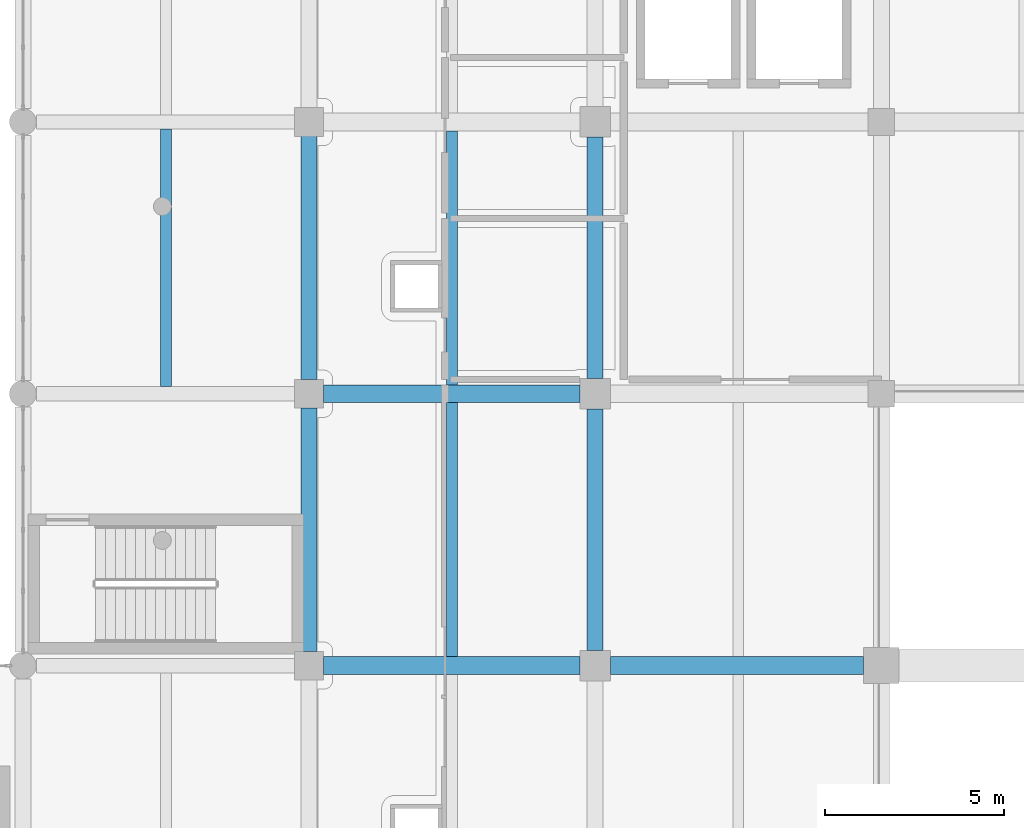
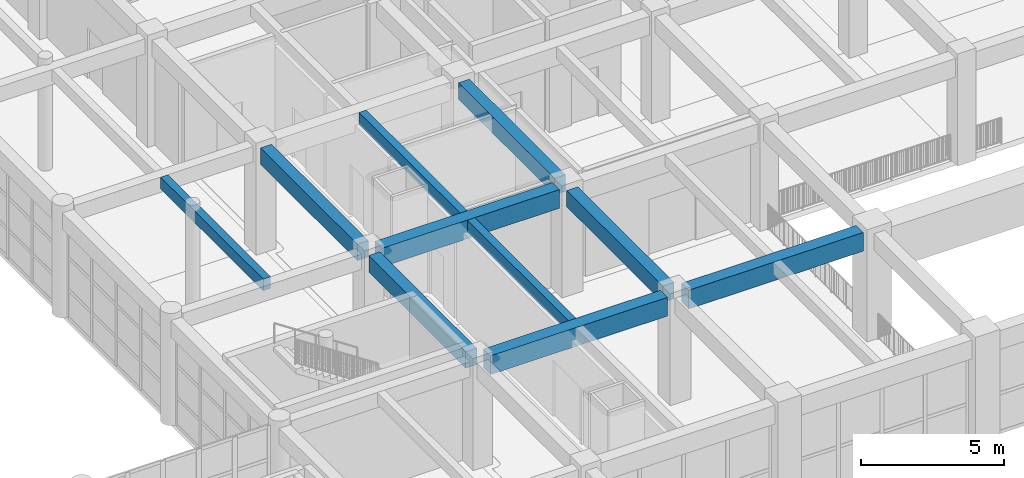
# One storey, part 17 of 101: 10 beams.
"""IFC4 building model written with IfcOpenShell, lengths in metres."""

from ifc_helpers import new_model, si_unit, direction, frame, origin, origin_2d, place, context, subcontext, project, spatial, rectangle, extrude, material, material_profile, profile_set, type_object, element, save


model = new_model("IFC4")

# Units and contexts
model_context = context("Model", 3, precision=1e-05, world=origin(), true_north=direction((0.0, 1.0)))
body_context = subcontext(model_context, "Body", "Model", "MODEL_VIEW")
ifc_project = project(units=[si_unit("LENGTHUNIT", "METRE"), si_unit("AREAUNIT", "SQUARE_METRE"), si_unit("VOLUMEUNIT", "CUBIC_METRE"), si_unit("PLANEANGLEUNIT", "RADIAN"), si_unit("MASSUNIT", "GRAM", prefix="KILO")], contexts=[model_context])

# Site, building, storey
site_placement = place(None, origin())
site = spatial("IfcSite", under=ifc_project, at=site_placement, CompositionType="ELEMENT")
building_placement = place(site_placement, origin())
building = spatial("IfcBuilding", under=site, at=building_placement, Name="Zantavel Square City Hall", CompositionType="ELEMENT")
storey_placement = place(building_placement, frame((0.0, 0.0, 5.39990234375)))
storey = spatial("IfcBuildingStorey", under=building, at=storey_placement, Name="L02", CompositionType="ELEMENT", Elevation=5.39990234375)

# Beams
ifc_material = material(Name="Concrete C35/45", Category="concrete")
ifc_material_profile_1 = material_profile(ifc_material, rectangle(XDim=0.300048828125, YDim=0.5, at=origin_2d()), Name="RC 300x500")
ifc_profile_set_1 = profile_set([ifc_material_profile_1], Name="Concrete C35/45")
beam_type_1 = type_object("IfcBeamType", Name="Floor Joist RC 300x500 C35/45", PredefinedType="JOIST", material=ifc_profile_set_1)
beam_1_placement = place(storey_placement, frame((52.0, 45.800048828125, 4.2900390625), z_axis=(0.0, 1.0, 0.0), x_axis=(-1.0, 0.0, 0.0)))
element("IfcBeam", 1, at=beam_1_placement, inside=storey, type_object=beam_type_1, Name="L02 Floor Joist JST-L02-0520-0456", PredefinedType="JOIST", context=body_context, shape_type="SweptSolid", body=[
    extrude(rectangle(XDim=0.300048828125, YDim=0.5, at=origin_2d()), origin(), (0.0, 0.0, 1.0), 7.199951171875),
])
beam_2_placement = place(storey_placement, frame((60.0, 38.25, 4.2900390625), z_axis=(0.0, 1.0, 0.0), x_axis=(-1.0, 0.0, 0.0)))
element("IfcBeam", 2, at=beam_2_placement, inside=storey, type_object=beam_type_1, Name="L02 Floor Joist JST-L02-0600-0380", PredefinedType="JOIST", context=body_context, shape_type="SweptSolid", body=[
    extrude(rectangle(XDim=0.300048828125, YDim=0.5, at=origin_2d()), origin(), (0.0, 0.0, 1.0), 7.10009765625),
])
beam_3_placement = place(storey_placement, frame((60.0, 45.85009765625, 4.2900390625), z_axis=(0.0, 1.0, 0.0), x_axis=(-1.0, 0.0, 0.0)))
element("IfcBeam", 3, at=beam_3_placement, inside=storey, type_object=beam_type_1, Name="L02 Floor Joist JST-L02-0600-0456", PredefinedType="JOIST", context=body_context, shape_type="SweptSolid", body=[
    extrude(rectangle(XDim=0.300048828125, YDim=0.5, at=origin_2d()), origin(), (0.0, 0.0, 1.0), 7.099853515625),
])
ifc_material_profile_2 = material_profile(ifc_material, rectangle(XDim=0.449951171875, YDim=0.699951171875, at=origin_2d()), Name="RC 450x700")
ifc_profile_set_2 = profile_set([ifc_material_profile_2], Name="Concrete C35/45")
beam_type_2 = type_object("IfcBeamType", Name="Primary Girder RC 450x700 C35/45", PredefinedType="BEAM", material=ifc_profile_set_2)
for number, where, z_axis, x_axis, name in (
    (4, (56.0, 38.39990234375, 4.190185546875), (0.0, 1.0, 0.0), (-1.0, 0.0, 0.0), "L02 Beam BMY-L02-0560-0380"),
    (5, (56.0, 46.0, 4.190185546875), (0.0, 1.0, 0.0), (-1.0, 0.0, 0.0), "L02 Beam BMY-L02-0560-0456"),
):
    element("IfcBeam", number, at=place(storey_placement, frame(where, z_axis=z_axis, x_axis=x_axis)), inside=storey, type_object=beam_type_2, Name=name, PredefinedType="BEAM", context=body_context, shape_type="SweptSolid", body=[
        extrude(rectangle(XDim=0.449951171875, YDim=0.699951171875, at=origin_2d()), origin(), (0.0, 0.0, 1.0), 6.800048828125),
    ])
for number, where, z_axis, x_axis, name in (
    (6, (64.0, 38.425048828125, 4.190185546875), (0.0, 1.0, 0.0), (-1.0, 0.0, 0.0), "L02 Beam BMY-L02-0640-0380"),
    (7, (64.0, 46.02490234375, 4.190185546875), (0.0, 1.0, 0.0), (-1.0, 0.0, 0.0), "L02 Beam BMY-L02-0640-0456"),
):
    element("IfcBeam", number, at=place(storey_placement, frame(where, z_axis=z_axis, x_axis=x_axis)), inside=storey, type_object=beam_type_2, Name=name, PredefinedType="BEAM", context=body_context, shape_type="SweptSolid", body=[
        extrude(rectangle(XDim=0.449951171875, YDim=0.699951171875, at=origin_2d()), origin(), (0.0, 0.0, 1.0), 6.75),
    ])
ifc_material_profile_3 = material_profile(ifc_material, rectangle(XDim=0.5, YDim=0.800048828125, at=origin_2d()), Name="RC 500x800")
ifc_profile_set_3 = profile_set([ifc_material_profile_3], Name="Concrete C35/45")
beam_type_3 = type_object("IfcBeamType", Name="Primary Girder RC 500x800 C35/45", PredefinedType="BEAM", material=ifc_profile_set_3)
for number, where, z_axis, x_axis, name in (
    (8, (56.39990234375, 38.0, 4.14013671875), (1.0, 0.0, 0.0), (0.0, 1.0, 0.0), "L02 Girder BMX-L02-0560-0380"),
    (9, (56.39990234375, 45.60009765625, 4.14013671875), (1.0, 0.0, 0.0), (0.0, 1.0, 0.0), "L02 Girder BMX-L02-0560-0456"),
):
    element("IfcBeam", number, at=place(storey_placement, frame(where, z_axis=z_axis, x_axis=x_axis)), inside=storey, type_object=beam_type_3, Name=name, PredefinedType="BEAM", context=body_context, shape_type="SweptSolid", body=[
        extrude(rectangle(XDim=0.5, YDim=0.800048828125, at=origin_2d()), origin(), (0.0, 0.0, 1.0), 7.175048828125),
    ])
beam_4_placement = place(storey_placement, frame((64.425048828125, 38.0, 4.14013671875), z_axis=(1.0, 0.0, 0.0), x_axis=(0.0, 1.0, 0.0)))
element("IfcBeam", 10, at=beam_4_placement, inside=storey, type_object=beam_type_3, Name="L02 Girder BMX-L02-0640-0380", PredefinedType="BEAM", context=body_context, shape_type="SweptSolid", body=[
    extrude(rectangle(XDim=0.5, YDim=0.800048828125, at=origin_2d()), origin(), (0.0, 0.0, 1.0), 7.074951171875),
])

save(model, "model.ifc")
